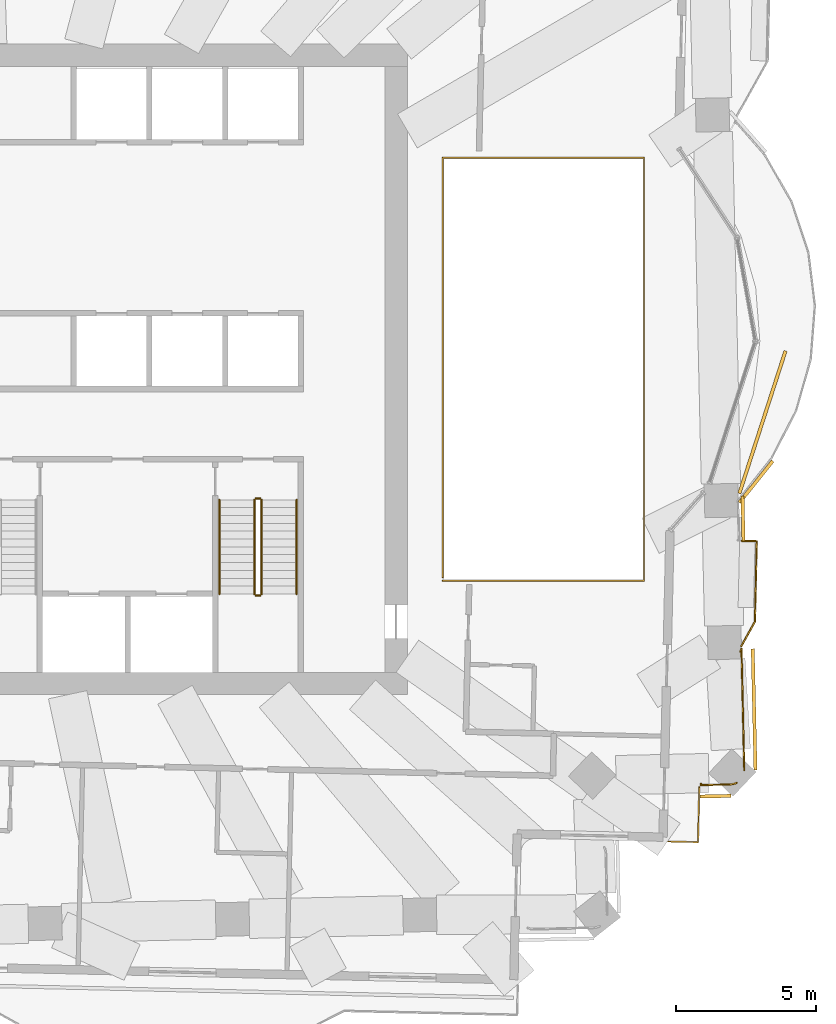
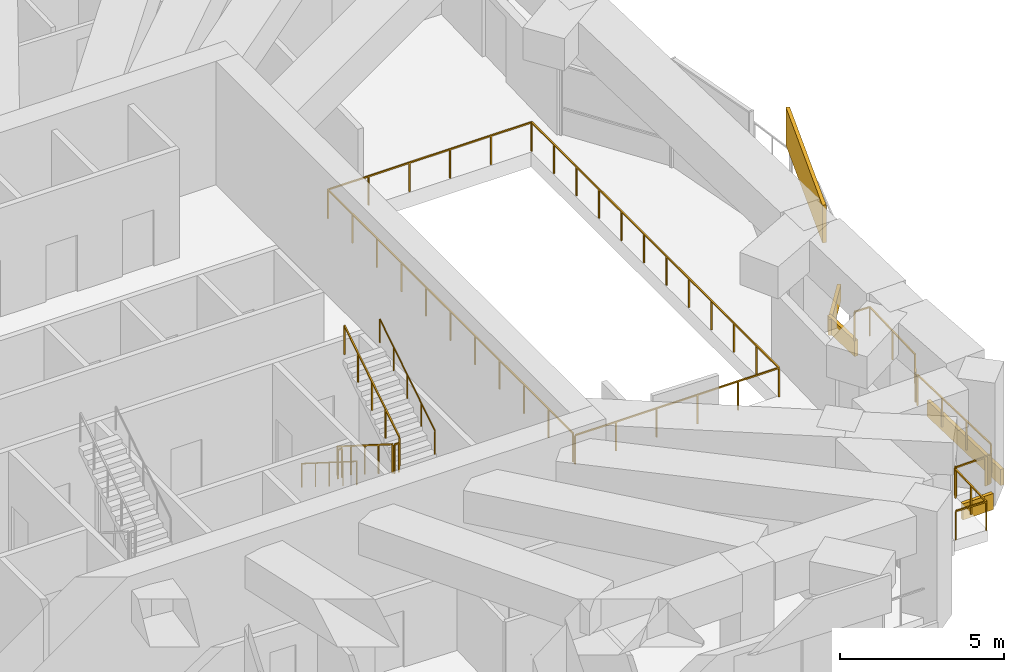
# One storey, part 17 of 19: 11 railings, 5 coverings.
"""IFC4 building model written with IfcOpenShell, lengths in metres."""

import ifcopenshell
import ifcopenshell.guid

model = None  # the IFC model being written
_history = None  # IfcOwnerHistory: only IFC2X3 demands one
_inside = {}  # id of a spatial element -> (the spatial element, [elements in it])
_under = {}  # id of a project, library or spatial element -> (it, [spatial elements below it])
_declared = {}  # id of a project -> (the project, [libraries it declares])
_typed = {}  # id of a type object -> (the type object, [elements of that type])
_made_of = {}  # id of a material, layer set ... -> (it, [elements and type objects made of it])


def new_model(schema):
    """Start an empty IFC model of exactly this schema.

    Asked for "IFC4X3", IfcOpenShell would pick the latest addendum, in which some entities
    have other attributes; the version numbers below select the first issue.
    IFC2X3 requires an IfcOwnerHistory on every rooted entity: one is made here for all.
    """
    global model, _history
    if schema == "IFC4X3":
        model = ifcopenshell.file(schema_version=(4, 3, 0, 0))
    else:
        model = ifcopenshell.file(schema=schema)
    _inside.clear()
    _under.clear()
    _declared.clear()
    _typed.clear()
    _made_of.clear()
    _history = None
    if model.schema == "IFC2X3":
        org = make("IfcOrganization", Name="unknown")
        user = make(
            "IfcPersonAndOrganization",
            ThePerson=make("IfcPerson", FamilyName="unknown"),
            TheOrganization=org,
        )
        app = make(
            "IfcApplication",
            ApplicationDeveloper=org,
            Version="unknown",
            ApplicationFullName="unknown",
            ApplicationIdentifier="unknown",
        )
        _history = make(
            "IfcOwnerHistory",
            OwningUser=user,
            OwningApplication=app,
            ChangeAction="ADDED",
            CreationDate=0,
        )
    return model


def make(cls, **values):
    """One entity of the class cls with the attributes given. An attribute that is None is left unset."""
    return model.create_entity(
        cls, **{name: value for name, value in values.items() if value is not None}
    )


def rooted(cls, **values):
    """An entity with a GlobalId (a new one), such as an element, a storey or a relation."""
    return make(cls, GlobalId=ifcopenshell.guid.new(), OwnerHistory=_history, **values)


def si_unit(unit_type, name, prefix=None):
    """IfcSIUnit, for example si_unit("LENGTHUNIT", "METRE", prefix="MILLI")."""
    return make("IfcSIUnit", UnitType=unit_type, Prefix=prefix, Name=name)


def assignment(units):
    """IfcUnitAssignment: the units of a project."""
    return None if units is None else make("IfcUnitAssignment", Units=units)


def point(xyz):
    """IfcCartesianPoint."""
    return None if xyz is None else make("IfcCartesianPoint", Coordinates=xyz)


def direction(xyz):
    """IfcDirection."""
    return None if xyz is None else make("IfcDirection", DirectionRatios=xyz)


def frame(location, z_axis=None, x_axis=None):
    """IfcAxis2Placement3D, a coordinate frame: its origin and axes. An axis left out is left unset."""
    return make(
        "IfcAxis2Placement3D",
        Location=point(location),
        Axis=direction(z_axis),
        RefDirection=direction(x_axis),
    )


def frame_2d(location, x_axis=None):
    """IfcAxis2Placement2D, a coordinate frame in the plane: its origin and x axis."""
    return make(
        "IfcAxis2Placement2D", Location=point(location), RefDirection=direction(x_axis)
    )


def origin():
    """The frame at (0, 0, 0) with its axes left unset."""
    return frame((0.0, 0.0, 0.0))


def origin_2d():
    """The frame at (0, 0) in the plane with its x axis left unset."""
    return frame_2d((0.0, 0.0))


def place(relative_to, where):
    """IfcLocalPlacement: puts the frame where relative to a parent placement (None: the world)."""
    return make(
        "IfcLocalPlacement", PlacementRelTo=relative_to, RelativePlacement=where
    )


def context(
    kind, dimensions, precision=None, world=None, true_north=None, identifier=None
):
    """IfcGeometricRepresentationContext, for example the 3D "Model" context."""
    return make(
        "IfcGeometricRepresentationContext",
        ContextIdentifier=identifier,
        ContextType=kind,
        CoordinateSpaceDimension=dimensions,
        Precision=precision,
        WorldCoordinateSystem=world,
        TrueNorth=true_north,
    )


def subcontext(parent, identifier, kind, view, scale=None):
    """IfcGeometricRepresentationSubContext, for example "Body" below "Model"."""
    return make(
        "IfcGeometricRepresentationSubContext",
        ContextIdentifier=identifier,
        ContextType=kind,
        ParentContext=parent,
        TargetScale=scale,
        TargetView=view,
    )


def project(units=None, contexts=None):
    """IfcProject with its units and contexts."""
    return rooted(
        "IfcProject",
        Name="project",
        RepresentationContexts=contexts,
        UnitsInContext=assignment(units),
    )


def spatial(cls, under=None, at=None, **own):
    """A site, building, storey or space (cls), placed at a placement, below another one or the project."""
    s = rooted(cls, ObjectPlacement=at, **own)
    if under is not None:
        _under.setdefault(under.id(), (under, []))[1].append(s)
    return s


def profile(cls, at=None, kind="AREA", **sizes):
    """A parametric profile (cls). Its sizes go by their IFC names, for example OverallWidth=200.0."""
    return make(cls, ProfileType=kind, Position=at, **sizes)


def rectangle(**sizes):
    """IfcRectangleProfileDef."""
    return profile("IfcRectangleProfileDef", **sizes)


def circle(**sizes):
    """IfcCircleProfileDef."""
    return profile("IfcCircleProfileDef", **sizes)


def extrude(swept, where, along, depth):
    """IfcExtrudedAreaSolid: the profile swept, set in the frame where, extruded along a direction by depth."""
    return make(
        "IfcExtrudedAreaSolid",
        SweptArea=swept,
        Position=where,
        ExtrudedDirection=direction(along),
        Depth=depth,
    )


def shape(context_of_items, identifier, shape_type, items):
    """IfcShapeRepresentation: the items that make up one representation, for example the "Body"."""
    return make(
        "IfcShapeRepresentation",
        ContextOfItems=context_of_items,
        RepresentationIdentifier=identifier,
        RepresentationType=shape_type,
        Items=items,
    )


def material(Name=None, Category=None):
    """IfcMaterial."""
    return make("IfcMaterial", Name=Name, Category=Category)


def layer(
    of_material, thickness, ventilated=None, Name=None, Category=None, Priority=None
):
    """IfcMaterialLayer: one layer of a wall or slab, of a material (None: an air gap)."""
    return make(
        "IfcMaterialLayer",
        Material=of_material,
        LayerThickness=thickness,
        IsVentilated=ventilated,
        Name=Name,
        Category=Category,
        Priority=Priority,
    )


def layer_set(layers, Name=None):
    """IfcMaterialLayerSet."""
    return make("IfcMaterialLayerSet", MaterialLayers=layers, LayerSetName=Name)


def made_of(thing, what):
    """Note that an element or type object is made of a material, layer set ...; save() writes the relation."""
    if what is not None:
        _made_of.setdefault(what.id(), (what, []))[1].append(thing)
    return thing


def type_object(cls, material=None, **own):
    """A type object (cls), such as IfcWallType, which elements share."""
    return made_of(rooted(cls, **own), material)


def element(
    cls,
    number,
    at=None,
    inside=None,
    cuts=None,
    type_object=None,
    material=None,
    context=None,
    identifier="Body",
    shape_type=None,
    held_by="IfcProductDefinitionShape",
    body=None,
    shapes=None,
    **own,
):
    """One element of the class cls, such as IfcWall. Its Tag is "e" and its number.

    at: its placement. inside: the storey or other place that contains it. cuts: it is an
    opening in that element (IfcRelVoidsElement). A single representation is given by context,
    identifier, shape_type and body (its items); several are given by shapes. held_by: the class
    of the entity that holds the representations. save() writes the other relations.
    """
    e = rooted(cls, Tag="e%d" % number, ObjectPlacement=at, **own)
    if body is not None:
        shapes = [shape(context, identifier, shape_type, body)]
    if shapes is not None:
        e.Representation = make(held_by, Representations=shapes)
    if inside is not None:
        _inside.setdefault(inside.id(), (inside, []))[1].append(e)
    if cuts is not None:
        rooted(
            "IfcRelVoidsElement", RelatingBuildingElement=cuts, RelatedOpeningElement=e
        )
    if type_object is not None:
        _typed.setdefault(type_object.id(), (type_object, []))[1].append(e)
    return made_of(e, material)


def aggregate(whole, parts):
    """IfcRelAggregates: a whole, such as a stair, and the parts it consists of."""
    return rooted("IfcRelAggregates", RelatingObject=whole, RelatedObjects=parts)


def save(model, path):
    """Write the relations noted so far, then the file.

    IfcRelAggregates (storeys below a building ...), IfcRelContainedInSpatialStructure (elements
    in a storey), IfcRelDefinesByType, IfcRelAssociatesMaterial and IfcRelDeclares: one each for
    every whole, place, type object, material and project.
    """
    for whole, parts in _under.values():
        aggregate(whole, parts)
    for where, things in _inside.values():
        rooted(
            "IfcRelContainedInSpatialStructure",
            RelatedElements=things,
            RelatingStructure=where,
        )
    for kind, things in _typed.values():
        rooted("IfcRelDefinesByType", RelatedObjects=things, RelatingType=kind)
    for what, things in _made_of.values():
        rooted("IfcRelAssociatesMaterial", RelatedObjects=things, RelatingMaterial=what)
    for by, libraries in _declared.values():
        rooted("IfcRelDeclares", RelatingContext=by, RelatedDefinitions=libraries)
    model.write(path)


model = new_model("IFC4")

# Units and contexts
model_context = context("Model", 3, precision=1e-05, world=origin(), true_north=direction((0.0, 1.0)))
body_context = subcontext(model_context, "Body", "Model", "MODEL_VIEW")
ifc_project = project(units=[si_unit("LENGTHUNIT", "METRE"), si_unit("AREAUNIT", "SQUARE_METRE"), si_unit("VOLUMEUNIT", "CUBIC_METRE"), si_unit("PLANEANGLEUNIT", "RADIAN"), si_unit("MASSUNIT", "GRAM", prefix="KILO")], contexts=[model_context])

# Site, building, storey
site_placement = place(None, origin())
site = spatial("IfcSite", under=ifc_project, at=site_placement, CompositionType="ELEMENT")
building_placement = place(site_placement, origin())
building = spatial("IfcBuilding", under=site, at=building_placement, Name="Mangrove Gate Tower", CompositionType="ELEMENT")
storey_placement = place(building_placement, frame((0.0, 0.0, 193.300048828125)))
storey = spatial("IfcBuildingStorey", under=building, at=storey_placement, Name="L49", CompositionType="ELEMENT", Elevation=193.300048828125)

# Railings
ifc_material_1 = material(Name="Stainless steel grade 316 with laminated glass infill", Category="steel")
railing_type_1 = type_object("IfcRailingType", Name="Balcony guard 1100", PredefinedType="GUARDRAIL", material=ifc_material_1)
railing_1_placement = place(storey_placement, frame((23.89892578125, -16.8330078125, 0.0)))
element("IfcRailing", 1, at=railing_1_placement, inside=storey, type_object=railing_type_1, Name="GUARD L49 E1", PredefinedType="GUARDRAIL", context=body_context, shape_type="SweptSolid", body=[
    extrude(rectangle(XDim=0.048095703125, YDim=0.048095703125, at=origin_2d()), frame((0.0, 0.0, 1.076171875), z_axis=(0.999745389313, -0.022564497502, 0.0), x_axis=(0.022564497502, 0.999745389313, 0.0)), (0.0, 0.0, 1.0), 1.060302734375),
    extrude(rectangle(XDim=0.048095703125, YDim=0.048095703125, at=origin_2d()), frame((1.06005859375, -0.02392578125, 1.076171875), z_axis=(0.022449430684, 0.999747979774, 0.0), x_axis=(-0.999747979774, 0.022449430684, 0.0)), (0.0, 0.0, 1.0), 1.95751953125),
    extrude(rectangle(XDim=0.0419921875, YDim=0.0419921875, at=origin_2d()), origin(), (0.0, 0.0, 1.0), 1.052001953125),
    extrude(rectangle(XDim=0.0419921875, YDim=0.0419921875, at=origin_2d()), frame((1.06005859375, -0.02392578125, 0.0)), (0.0, 0.0, 1.0), 1.052001953125),
    extrude(rectangle(XDim=0.0419921875, YDim=0.0419921875, at=origin_2d()), frame((1.08203125, 0.95458984375, 0.0)), (0.0, 0.0, 1.0), 1.052001953125),
    extrude(rectangle(XDim=0.0419921875, YDim=0.0419921875, at=origin_2d()), frame((1.10400390625, 1.93310546875, 0.0)), (0.0, 0.0, 1.0), 1.052001953125),
])
railing_2_placement = place(storey_placement, frame((26.501953125, -9.8720703125, 0.0)))
element("IfcRailing", 2, at=railing_2_placement, inside=storey, type_object=railing_type_1, Name="GUARD L49 E2", PredefinedType="GUARDRAIL", context=body_context, shape_type="SweptSolid", body=[
    extrude(rectangle(XDim=0.048095703125, YDim=0.048095703125, at=origin_2d()), frame((0.0, 0.0, 1.076171875), z_axis=(0.487283701343, 0.873243719935, 0.0), x_axis=(-0.873243719935, 0.487283701343, 0.0)), (0.0, 0.0, 1.0), 0.99755859375),
    extrude(rectangle(XDim=0.048095703125, YDim=0.048095703125, at=origin_2d()), frame((0.486083984375, 0.87109375, 1.076171875), z_axis=(0.022590224177, 0.999744808324, 0.0), x_axis=(-0.999744808324, 0.022590224177, 0.0)), (0.0, 0.0, 1.0), 2.874755859375),
    extrude(rectangle(XDim=0.048095703125, YDim=0.048095703125, at=origin_2d()), frame((0.551025390625, 3.7451171875, 1.076171875), z_axis=(-0.999749099731, 0.02239949972, 0.0), x_axis=(-0.02239949972, -0.999749099731, 0.0)), (0.0, 0.0, 1.0), 0.5341796875),
    extrude(rectangle(XDim=0.0419921875, YDim=0.0419921875, at=origin_2d()), origin(), (0.0, 0.0, 1.0), 1.052001953125),
    extrude(rectangle(XDim=0.0419921875, YDim=0.0419921875, at=origin_2d()), frame((0.486083984375, 0.87109375, 0.0)), (0.0, 0.0, 1.0), 1.052001953125),
    extrude(rectangle(XDim=0.0419921875, YDim=0.0419921875, at=origin_2d()), frame((0.5185546875, 2.30810546875, 0.0)), (0.0, 0.0, 1.0), 1.052001953125),
    extrude(rectangle(XDim=0.0419921875, YDim=0.0419921875, at=origin_2d()), frame((0.551025390625, 3.7451171875, 0.0)), (0.0, 0.0, 1.0), 1.052001953125),
    extrude(rectangle(XDim=0.0419921875, YDim=0.0419921875, at=origin_2d()), frame((0.01708984375, 3.757080078125, 0.0)), (0.0, 0.0, 1.0), 1.052001953125),
])
railing_3_placement = place(storey_placement, frame((15.860107421875, -7.5400390625, 0.0)))
element("IfcRailing", 3, at=railing_3_placement, inside=storey, type_object=railing_type_1, Name="GUARD L49 atrium", PredefinedType="GUARDRAIL", context=body_context, shape_type="SweptSolid", body=[
    extrude(rectangle(XDim=0.048095703125, YDim=0.048095703125, at=origin_2d()), frame((0.0, 0.0, 1.076171875), z_axis=(1.0, 0.0, 0.0), x_axis=(0.0, 1.0, 0.0)), (0.0, 0.0, 1.0), 7.1748046875),
    extrude(rectangle(XDim=0.048095703125, YDim=0.048095703125, at=origin_2d()), frame((7.1748046875, 0.0, 1.076171875), z_axis=(0.0, 1.0, 0.0), x_axis=(-1.0, 0.0, 0.0)), (0.0, 0.0, 1.0), 15.080078125),
    extrude(rectangle(XDim=0.048095703125, YDim=0.048095703125, at=origin_2d()), frame((7.1748046875, 15.080078125, 1.076171875), z_axis=(-1.0, 0.0, 0.0), x_axis=(0.0, -1.0, 0.0)), (0.0, 0.0, 1.0), 7.1748046875),
    extrude(rectangle(XDim=0.048095703125, YDim=0.048095703125, at=origin_2d()), frame((0.0, 15.080078125, 1.076171875), z_axis=(0.0, -1.0, 0.0), x_axis=(1.0, 0.0, 0.0)), (0.0, 0.0, 1.0), 14.9599609375),
    extrude(rectangle(XDim=0.0419921875, YDim=0.0419921875, at=origin_2d()), origin(), (0.0, 0.0, 1.0), 1.052001953125),
    extrude(rectangle(XDim=0.0419921875, YDim=0.0419921875, at=origin_2d()), frame((1.43505859375, 0.0, 0.0)), (0.0, 0.0, 1.0), 1.052001953125),
    extrude(rectangle(XDim=0.0419921875, YDim=0.0419921875, at=origin_2d()), frame((2.869873046875, 0.0, 0.0)), (0.0, 0.0, 1.0), 1.052001953125),
    extrude(rectangle(XDim=0.0419921875, YDim=0.0419921875, at=origin_2d()), frame((4.304931640625, 0.0, 0.0)), (0.0, 0.0, 1.0), 1.052001953125),
    extrude(rectangle(XDim=0.0419921875, YDim=0.0419921875, at=origin_2d()), frame((5.73974609375, 0.0, 0.0)), (0.0, 0.0, 1.0), 1.052001953125),
    extrude(rectangle(XDim=0.0419921875, YDim=0.0419921875, at=origin_2d()), frame((7.1748046875, 0.0, 0.0)), (0.0, 0.0, 1.0), 1.052001953125),
    extrude(rectangle(XDim=0.0419921875, YDim=0.0419921875, at=origin_2d()), frame((7.1748046875, 1.370849609375, 0.0)), (0.0, 0.0, 1.0), 1.052001953125),
    extrude(rectangle(XDim=0.0419921875, YDim=0.0419921875, at=origin_2d()), frame((7.1748046875, 2.741943359375, 0.0)), (0.0, 0.0, 1.0), 1.052001953125),
    extrude(rectangle(XDim=0.0419921875, YDim=0.0419921875, at=origin_2d()), frame((7.1748046875, 4.11279296875, 0.0)), (0.0, 0.0, 1.0), 1.052001953125),
    extrude(rectangle(XDim=0.0419921875, YDim=0.0419921875, at=origin_2d()), frame((7.1748046875, 5.483642578125, 0.0)), (0.0, 0.0, 1.0), 1.052001953125),
    extrude(rectangle(XDim=0.0419921875, YDim=0.0419921875, at=origin_2d()), frame((7.1748046875, 6.8544921875, 0.0)), (0.0, 0.0, 1.0), 1.052001953125),
    extrude(rectangle(XDim=0.0419921875, YDim=0.0419921875, at=origin_2d()), frame((7.1748046875, 8.2255859375, 0.0)), (0.0, 0.0, 1.0), 1.052001953125),
    extrude(rectangle(XDim=0.0419921875, YDim=0.0419921875, at=origin_2d()), frame((7.1748046875, 9.596435546875, 0.0)), (0.0, 0.0, 1.0), 1.052001953125),
    extrude(rectangle(XDim=0.0419921875, YDim=0.0419921875, at=origin_2d()), frame((7.1748046875, 10.96728515625, 0.0)), (0.0, 0.0, 1.0), 1.052001953125),
    extrude(rectangle(XDim=0.0419921875, YDim=0.0419921875, at=origin_2d()), frame((7.1748046875, 12.338134765625, 0.0)), (0.0, 0.0, 1.0), 1.052001953125),
    extrude(rectangle(XDim=0.0419921875, YDim=0.0419921875, at=origin_2d()), frame((7.1748046875, 13.709228515625, 0.0)), (0.0, 0.0, 1.0), 1.052001953125),
    extrude(rectangle(XDim=0.0419921875, YDim=0.0419921875, at=origin_2d()), frame((7.1748046875, 15.080078125, 0.0)), (0.0, 0.0, 1.0), 1.052001953125),
    extrude(rectangle(XDim=0.0419921875, YDim=0.0419921875, at=origin_2d()), frame((5.73974609375, 15.080078125, 0.0)), (0.0, 0.0, 1.0), 1.052001953125),
    extrude(rectangle(XDim=0.0419921875, YDim=0.0419921875, at=origin_2d()), frame((4.304931640625, 15.080078125, 0.0)), (0.0, 0.0, 1.0), 1.052001953125),
    extrude(rectangle(XDim=0.0419921875, YDim=0.0419921875, at=origin_2d()), frame((2.869873046875, 15.080078125, 0.0)), (0.0, 0.0, 1.0), 1.052001953125),
    extrude(rectangle(XDim=0.0419921875, YDim=0.0419921875, at=origin_2d()), frame((1.43505859375, 15.080078125, 0.0)), (0.0, 0.0, 1.0), 1.052001953125),
    extrude(rectangle(XDim=0.0419921875, YDim=0.0419921875, at=origin_2d()), frame((0.0, 15.080078125, 0.0)), (0.0, 0.0, 1.0), 1.052001953125),
    extrude(rectangle(XDim=0.0419921875, YDim=0.0419921875, at=origin_2d()), frame((0.0, 13.583984375, 0.0)), (0.0, 0.0, 1.0), 1.052001953125),
    extrude(rectangle(XDim=0.0419921875, YDim=0.0419921875, at=origin_2d()), frame((0.0, 12.088134765625, 0.0)), (0.0, 0.0, 1.0), 1.052001953125),
    extrude(rectangle(XDim=0.0419921875, YDim=0.0419921875, at=origin_2d()), frame((0.0, 10.592041015625, 0.0)), (0.0, 0.0, 1.0), 1.052001953125),
    extrude(rectangle(XDim=0.0419921875, YDim=0.0419921875, at=origin_2d()), frame((0.0, 9.09619140625, 0.0)), (0.0, 0.0, 1.0), 1.052001953125),
    extrude(rectangle(XDim=0.0419921875, YDim=0.0419921875, at=origin_2d()), frame((0.0, 7.60009765625, 0.0)), (0.0, 0.0, 1.0), 1.052001953125),
    extrude(rectangle(XDim=0.0419921875, YDim=0.0419921875, at=origin_2d()), frame((0.0, 6.10400390625, 0.0)), (0.0, 0.0, 1.0), 1.052001953125),
    extrude(rectangle(XDim=0.0419921875, YDim=0.0419921875, at=origin_2d()), frame((0.0, 4.608154296875, 0.0)), (0.0, 0.0, 1.0), 1.052001953125),
    extrude(rectangle(XDim=0.0419921875, YDim=0.0419921875, at=origin_2d()), frame((0.0, 3.112060546875, 0.0)), (0.0, 0.0, 1.0), 1.052001953125),
    extrude(rectangle(XDim=0.0419921875, YDim=0.0419921875, at=origin_2d()), frame((0.0, 1.6162109375, 0.0)), (0.0, 0.0, 1.0), 1.052001953125),
    extrude(rectangle(XDim=0.0419921875, YDim=0.0419921875, at=origin_2d()), frame((0.0, 0.1201171875, 0.0)), (0.0, 0.0, 1.0), 1.052001953125),
])
railing_4_placement = place(storey_placement, frame((26.3349609375, -14.742919921875, 0.0)))
element("IfcRailing", 4, at=railing_4_placement, inside=storey, type_object=railing_type_1, Name="GUARD L49 T2.1", PredefinedType="GUARDRAIL", context=body_context, shape_type="SweptSolid", body=[
    extrude(rectangle(XDim=0.048095703125, YDim=0.048095703125, at=origin_2d()), frame((0.0, 0.0, 1.076171875), z_axis=(-0.883787916347, -0.467887720419, 0.0), x_axis=(0.467887720419, -0.883787916347, 0.0)), (0.0, 0.0, 1.0), 0.028076171875),
    extrude(rectangle(XDim=0.048095703125, YDim=0.048095703125, at=origin_2d()), frame((-0.02490234375, -0.01318359375, 1.076171875), z_axis=(-0.93935731982, -0.342939973903, 0.0), x_axis=(0.342939973903, -0.93935731982, 0.0)), (0.0, 0.0, 1.0), 0.049072265625),
    extrude(rectangle(XDim=0.048095703125, YDim=0.048095703125, at=origin_2d()), frame((-0.071044921875, -0.030029296875, 1.076171875), z_axis=(-0.963948224108, -0.266089874363, 0.0), x_axis=(0.266089874363, -0.963948224108, 0.0)), (0.0, 0.0, 1.0), 0.048583984375),
    extrude(rectangle(XDim=0.048095703125, YDim=0.048095703125, at=origin_2d()), frame((-0.117919921875, -0.04296875, 1.076171875), z_axis=(-0.986789091699, -0.162010149383, 0.0), x_axis=(0.162010149383, -0.986789091699, 0.0)), (0.0, 0.0, 1.0), 0.0498046875),
    extrude(rectangle(XDim=0.048095703125, YDim=0.048095703125, at=origin_2d()), frame((-0.1669921875, -0.051025390625, 1.076171875), z_axis=(-0.996442430759, -0.084276225487, 0.0), x_axis=(0.084276225487, -0.996442430759, 0.0)), (0.0, 0.0, 1.0), 0.04931640625),
    extrude(rectangle(XDim=0.048095703125, YDim=0.048095703125, at=origin_2d()), frame((-0.216064453125, -0.05517578125, 1.076171875), z_axis=(-0.999742432986, -0.022695102718, 0.0), x_axis=(0.022695102718, -0.999742432986, 0.0)), (0.0, 0.0, 1.0), 1.05419921875),
    extrude(rectangle(XDim=0.048095703125, YDim=0.048095703125, at=origin_2d()), frame((-1.27001953125, -0.0791015625, 1.076171875), z_axis=(0.019508481785, 0.999809691461, 0.0), x_axis=(-0.999809691461, 0.019508481785, 0.0)), (0.0, 0.0, 1.0), 0.050048828125),
    extrude(rectangle(XDim=0.0419921875, YDim=0.0419921875, at=origin_2d()), origin(), (0.0, 0.0, 1.0), 1.052001953125),
    extrude(rectangle(XDim=0.0419921875, YDim=0.0419921875, at=origin_2d()), frame((-0.02490234375, -0.01318359375, 0.0)), (0.0, 0.0, 1.0), 1.052001953125),
    extrude(rectangle(XDim=0.0419921875, YDim=0.0419921875, at=origin_2d()), frame((-0.071044921875, -0.030029296875, 0.0)), (0.0, 0.0, 1.0), 1.052001953125),
    extrude(rectangle(XDim=0.0419921875, YDim=0.0419921875, at=origin_2d()), frame((-0.117919921875, -0.04296875, 0.0)), (0.0, 0.0, 1.0), 1.052001953125),
    extrude(rectangle(XDim=0.0419921875, YDim=0.0419921875, at=origin_2d()), frame((-0.1669921875, -0.051025390625, 0.0)), (0.0, 0.0, 1.0), 1.052001953125),
    extrude(rectangle(XDim=0.0419921875, YDim=0.0419921875, at=origin_2d()), frame((-0.216064453125, -0.05517578125, 0.0)), (0.0, 0.0, 1.0), 1.052001953125),
    extrude(rectangle(XDim=0.0419921875, YDim=0.0419921875, at=origin_2d()), frame((-1.27001953125, -0.0791015625, 0.0)), (0.0, 0.0, 1.0), 1.052001953125),
    extrude(rectangle(XDim=0.0419921875, YDim=0.0419921875, at=origin_2d()), frame((-1.26904296875, -0.029052734375, 0.0)), (0.0, 0.0, 1.0), 1.052001953125),
])
railing_5_placement = place(storey_placement, frame((26.4619140625, -10.056884765625, 0.0)))
element("IfcRailing", 5, at=railing_5_placement, inside=storey, type_object=railing_type_1, Name="GUARD L49 T2.2", PredefinedType="GUARDRAIL", context=body_context, shape_type="SweptSolid", body=[
    extrude(rectangle(XDim=0.048095703125, YDim=0.048095703125, at=origin_2d()), frame((0.0, 0.0, 1.076171875), z_axis=(0.488376884402, 0.872632808678, 0.0), x_axis=(-0.872632808678, 0.488376884402, 0.0)), (0.0, 0.0, 1.0), 0.098388671875),
    extrude(rectangle(XDim=0.048095703125, YDim=0.048095703125, at=origin_2d()), frame((0.048095703125, 0.0859375, 1.076171875), z_axis=(0.022676445805, -0.999742856341, 0.0), x_axis=(0.999742856341, 0.022676445805, 0.0)), (0.0, 0.0, 1.0), 4.3173828125),
    extrude(rectangle(XDim=0.0419921875, YDim=0.0419921875, at=origin_2d()), origin(), (0.0, 0.0, 1.0), 1.052001953125),
    extrude(rectangle(XDim=0.0419921875, YDim=0.0419921875, at=origin_2d()), frame((0.048095703125, 0.0859375, 0.0)), (0.0, 0.0, 1.0), 1.052001953125),
    extrude(rectangle(XDim=0.0419921875, YDim=0.0419921875, at=origin_2d()), frame((0.080810546875, -1.352783203125, 0.0)), (0.0, 0.0, 1.0), 1.052001953125),
    extrude(rectangle(XDim=0.0419921875, YDim=0.0419921875, at=origin_2d()), frame((0.11328125, -2.79150390625, 0.0)), (0.0, 0.0, 1.0), 1.052001953125),
    extrude(rectangle(XDim=0.0419921875, YDim=0.0419921875, at=origin_2d()), frame((0.14599609375, -4.230224609375, 0.0)), (0.0, 0.0, 1.0), 1.052001953125),
])
ifc_material_2 = material(Name="Stainless steel 316", Category="steel")
railing_type_2 = type_object("IfcRailingType", Name="Core stair guard 1100", PredefinedType="GUARDRAIL", material=ifc_material_2)
railing_6_placement = place(storey_placement, frame((9.14990234375, -4.64990234375, 0.1767578125)))
element("IfcRailing", 6, at=railing_6_placement, inside=storey, type_object=railing_type_2, Name="L49 ST3 stair guard 1", PredefinedType="GUARDRAIL", context=body_context, shape_type="SweptSolid", body=[
    extrude(rectangle(XDim=0.048095703125, YDim=0.048095703125, at=origin_2d()), frame((0.0, 0.0, 1.076171875), z_axis=(0.0, -0.845361898145, 0.534194029511), x_axis=(1.0, 0.0, 0.0)), (0.0, 0.0, 1.0), 3.974853515625),
    extrude(rectangle(XDim=0.0419921875, YDim=0.0419921875, at=origin_2d()), origin(), (0.0, 0.0, 1.0), 1.052001953125),
    extrude(rectangle(XDim=0.0419921875, YDim=0.0419921875, at=origin_2d()), frame((0.0, -0.840087890625, 0.53076171875)), (0.0, 0.0, 1.0), 1.052001953125),
    extrude(rectangle(XDim=0.0419921875, YDim=0.0419921875, at=origin_2d()), frame((0.0, -1.68017578125, 1.0615234375)), (0.0, 0.0, 1.0), 1.052001953125),
    extrude(rectangle(XDim=0.0419921875, YDim=0.0419921875, at=origin_2d()), frame((0.0, -2.52001953125, 1.592529296875)), (0.0, 0.0, 1.0), 1.052001953125),
    extrude(rectangle(XDim=0.0419921875, YDim=0.0419921875, at=origin_2d()), frame((0.0, -3.360107421875, 2.123291015625)), (0.0, 0.0, 1.0), 1.052001953125),
])
railing_7_placement = place(storey_placement, frame((9.199951171875, -8.06005859375, 2.300048828125)))
element("IfcRailing", 7, at=railing_7_placement, inside=storey, type_object=railing_type_2, Name="L49 ST3 stair guard 2", PredefinedType="GUARDRAIL", context=body_context, shape_type="SweptSolid", body=[
    extrude(rectangle(XDim=0.048095703125, YDim=0.048095703125, at=origin_2d()), frame((0.0, 0.0, 1.076171875), z_axis=(1.0, 0.0, 0.0), x_axis=(0.0, 1.0, 0.0)), (0.0, 0.0, 1.0), 0.150146484375),
    extrude(rectangle(XDim=0.0419921875, YDim=0.0419921875, at=origin_2d()), origin(), (0.0, 0.0, 1.0), 1.052001953125),
    extrude(rectangle(XDim=0.0419921875, YDim=0.0419921875, at=origin_2d()), frame((0.150146484375, 0.0, 0.0)), (0.0, 0.0, 1.0), 1.052001953125),
])
railing_8_placement = place(storey_placement, frame((9.39990234375, -8.010009765625, 2.476806640625)))
element("IfcRailing", 8, at=railing_8_placement, inside=storey, type_object=railing_type_2, Name="L49 ST3 stair guard 3", PredefinedType="GUARDRAIL", context=body_context, shape_type="SweptSolid", body=[
    extrude(rectangle(XDim=0.048095703125, YDim=0.048095703125, at=origin_2d()), frame((0.0, 0.0, 1.076171875), z_axis=(0.0, 0.845389635667, 0.534150132366), x_axis=(-1.0, 0.0, 0.0)), (0.0, 0.0, 1.0), 3.974609375),
    extrude(rectangle(XDim=0.0419921875, YDim=0.0419921875, at=origin_2d()), origin(), (0.0, 0.0, 1.0), 1.052001953125),
    extrude(rectangle(XDim=0.0419921875, YDim=0.0419921875, at=origin_2d()), frame((0.0, 0.840087890625, 0.53076171875)), (0.0, 0.0, 1.0), 1.052001953125),
    extrude(rectangle(XDim=0.0419921875, YDim=0.0419921875, at=origin_2d()), frame((0.0, 1.68017578125, 1.0615234375)), (0.0, 0.0, 1.0), 1.052001953125),
    extrude(rectangle(XDim=0.0419921875, YDim=0.0419921875, at=origin_2d()), frame((0.0, 2.52001953125, 1.59228515625)), (0.0, 0.0, 1.0), 1.052001953125),
    extrude(rectangle(XDim=0.0419921875, YDim=0.0419921875, at=origin_2d()), frame((0.0, 3.360107421875, 2.123046875)), (0.0, 0.0, 1.0), 1.052001953125),
])
railing_9_placement = place(storey_placement, frame((9.199951171875, -4.60009765625, 0.0)))
element("IfcRailing", 9, at=railing_9_placement, inside=storey, type_object=railing_type_2, Name="L49 ST3 stair guard 4", PredefinedType="GUARDRAIL", context=body_context, shape_type="SweptSolid", body=[
    extrude(rectangle(XDim=0.048095703125, YDim=0.048095703125, at=origin_2d()), frame((0.0, 0.0, 1.076171875), z_axis=(1.0, 0.0, 0.0), x_axis=(0.0, 1.0, 0.0)), (0.0, 0.0, 1.0), 0.150146484375),
    extrude(rectangle(XDim=0.0419921875, YDim=0.0419921875, at=origin_2d()), origin(), (0.0, 0.0, 1.0), 1.052001953125),
    extrude(rectangle(XDim=0.0419921875, YDim=0.0419921875, at=origin_2d()), frame((0.150146484375, 0.0, 0.0)), (0.0, 0.0, 1.0), 1.052001953125),
])
ifc_material_3 = material(Name="Stainless steel 316", Category="steel")
railing_type_3 = type_object("IfcRailingType", Name="Core stair handrail 900", PredefinedType="HANDRAIL", material=ifc_material_3)
railing_10_placement = place(storey_placement, frame((7.89990234375, -4.64990234375, 0.1767578125)))
element("IfcRailing", 10, at=railing_10_placement, inside=storey, type_object=railing_type_3, Name="L49 ST3 stair handrail 1", PredefinedType="HANDRAIL", context=body_context, shape_type="SweptSolid", body=[
    extrude(circle(Radius=0.02392578125, at=origin_2d()), frame((0.0, 0.0, 0.8759765625), z_axis=(0.0, -0.845361898145, 0.534194029511), x_axis=(1.0, 0.0, 0.0)), (0.0, 0.0, 1.0), 3.974853515625),
    extrude(circle(Radius=0.02099609375, at=origin_2d()), origin(), (0.0, 0.0, 1.0), 0.851806640625),
    extrude(circle(Radius=0.02099609375, at=origin_2d()), frame((0.0, -0.840087890625, 0.53076171875)), (0.0, 0.0, 1.0), 0.851806640625),
    extrude(circle(Radius=0.02099609375, at=origin_2d()), frame((0.0, -1.68017578125, 1.0615234375)), (0.0, 0.0, 1.0), 0.851806640625),
    extrude(circle(Radius=0.02099609375, at=origin_2d()), frame((0.0, -2.52001953125, 1.592529296875)), (0.0, 0.0, 1.0), 0.851806640625),
    extrude(circle(Radius=0.02099609375, at=origin_2d()), frame((0.0, -3.360107421875, 2.123291015625)), (0.0, 0.0, 1.0), 0.851806640625),
])
railing_11_placement = place(storey_placement, frame((10.64990234375, -8.010009765625, 2.476806640625)))
element("IfcRailing", 11, at=railing_11_placement, inside=storey, type_object=railing_type_3, Name="L49 ST3 stair handrail 2", PredefinedType="HANDRAIL", context=body_context, shape_type="SweptSolid", body=[
    extrude(circle(Radius=0.02392578125, at=origin_2d()), frame((0.0, 0.0, 0.8759765625), z_axis=(0.0, 0.845389635667, 0.534150132366), x_axis=(-1.0, 0.0, 0.0)), (0.0, 0.0, 1.0), 3.974609375),
    extrude(circle(Radius=0.02099609375, at=origin_2d()), origin(), (0.0, 0.0, 1.0), 0.851806640625),
    extrude(circle(Radius=0.02099609375, at=origin_2d()), frame((0.0, 0.840087890625, 0.53076171875)), (0.0, 0.0, 1.0), 0.851806640625),
    extrude(circle(Radius=0.02099609375, at=origin_2d()), frame((0.0, 1.68017578125, 1.0615234375)), (0.0, 0.0, 1.0), 0.851806640625),
    extrude(circle(Radius=0.02099609375, at=origin_2d()), frame((0.0, 2.52001953125, 1.59228515625)), (0.0, 0.0, 1.0), 0.851806640625),
    extrude(circle(Radius=0.02099609375, at=origin_2d()), frame((0.0, 3.360107421875, 2.123046875)), (0.0, 0.0, 1.0), 0.851806640625),
])

# Coverings
ifc_material_4 = material(Name="Limestone", Category="masonry")
ifc_layer_1 = layer(ifc_material_4, 0.0400390625, Name="Limestone cladding")
ifc_material_5 = material(Name="Stainless steel anchors and cavity", Category="steel")
ifc_layer_2 = layer(ifc_material_5, 0.080078125, Name="Fixing cavity")
ifc_layer_set = layer_set([ifc_layer_1, ifc_layer_2], Name="Joint fascia cladding 120")
covering_type = type_object("IfcCoveringType", Name="Joint fascia cladding 120", PredefinedType="CLADDING", material=ifc_layer_set)
covering_1_placement = place(storey_placement, frame((26.43505859375, -4.423095703125, 2.64990234375), z_axis=(0.0, 0.0, 1.0), x_axis=(0.307956653409, 0.951400388701, 0.0)))
element("IfcCovering", 12, at=covering_1_placement, inside=storey, type_object=covering_type, Name="STONE FASCIA L49 E1p2.L1", PredefinedType="CLADDING", context=body_context, shape_type="SweptSolid", body=[
    extrude(rectangle(XDim=5.338623046875, YDim=0.1201171875, at=frame_2d((2.66943359375, 0.0))), origin(), (0.0, 0.0, 1.0), 1.400146484375),
])
covering_2_placement = place(storey_placement, frame((27.625, -3.26806640625, -0.60009765625), z_axis=(0.0, 0.0, 1.0), x_axis=(-0.625791376037, -0.779990483069, 0.0)))
element("IfcCovering", 13, at=covering_2_placement, inside=storey, type_object=covering_type, Name="STONE FASCIA L49 TB61-1.1", PredefinedType="CLADDING", context=body_context, shape_type="SweptSolid", body=[
    extrude(rectangle(XDim=1.89990234375, YDim=0.1201171875, at=frame_2d((0.949951171875, 0.0))), origin(), (0.0, 0.0, 1.0), 0.60009765625),
])
covering_3_placement = place(storey_placement, frame((26.5458984375, -4.52294921875, -0.60009765625), z_axis=(0.0, 0.0, 1.0), x_axis=(0.023014160661, -0.999735139129, 0.0)))
element("IfcCovering", 14, at=covering_3_placement, inside=storey, type_object=covering_type, Name="STONE FASCIA L49 TB61-1.2", PredefinedType="CLADDING", context=body_context, shape_type="SweptSolid", body=[
    extrude(rectangle(XDim=1.59130859375, YDim=0.1201171875, at=frame_2d((0.795654296875, 0.0))), origin(), (0.0, 0.0, 1.0), 0.60009765625),
])
covering_4_placement = place(storey_placement, frame((26.12890625, -15.205078125, -0.60009765625), z_axis=(0.0, 0.0, 1.0), x_axis=(-0.9997443718, -0.022609534606, 0.0)))
element("IfcCovering", 15, at=covering_4_placement, inside=storey, type_object=covering_type, Name="STONE FASCIA L49 TB62-1.1", PredefinedType="CLADDING", context=body_context, shape_type="SweptSolid", body=[
    extrude(rectangle(XDim=1.090576171875, YDim=0.1201171875, at=frame_2d((0.54541015625, 0.0))), origin(), (0.0, 0.0, 1.0), 0.60009765625),
])
covering_5_placement = place(storey_placement, frame((26.910888671875, -9.9619140625, -0.60009765625), z_axis=(0.0, 0.0, 1.0), x_axis=(0.022732966358, -0.999741572728, 0.0)))
element("IfcCovering", 16, at=covering_5_placement, inside=storey, type_object=covering_type, Name="STONE FASCIA L49 TB62-2.1", PredefinedType="CLADDING", context=body_context, shape_type="SweptSolid", body=[
    extrude(rectangle(XDim=4.3173828125, YDim=0.1201171875, at=frame_2d((2.15869140625, 0.0))), origin(), (0.0, 0.0, 1.0), 0.60009765625),
])

save(model, "model.ifc")
